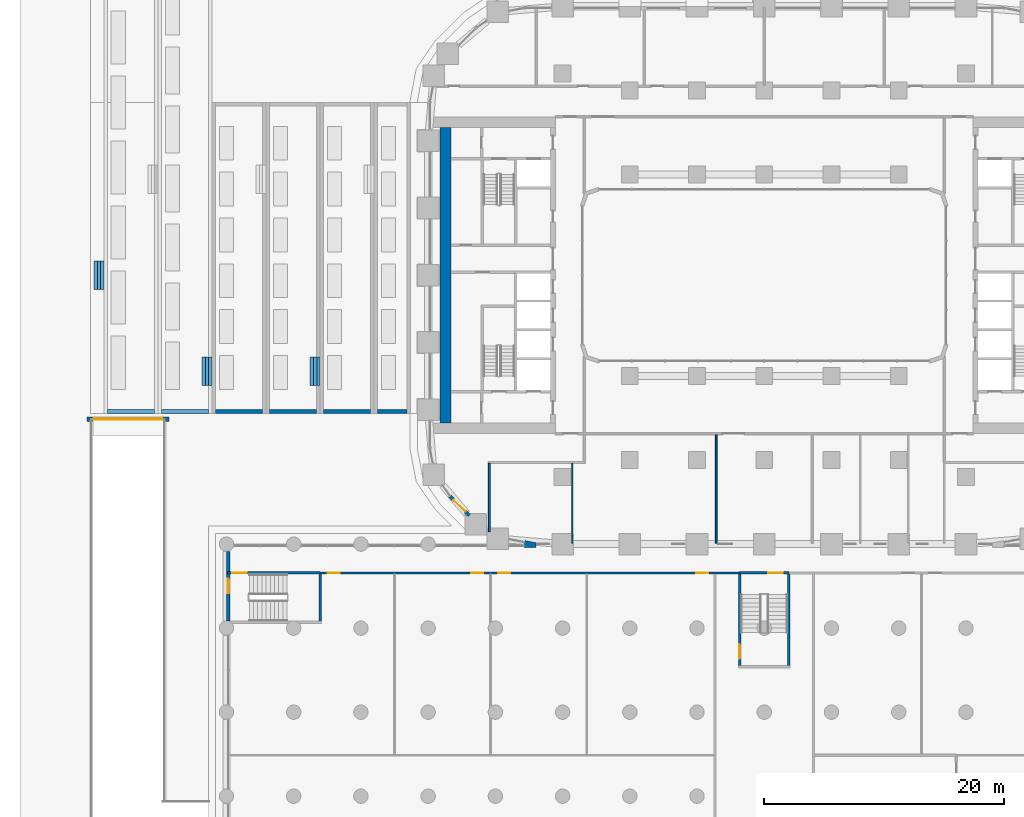
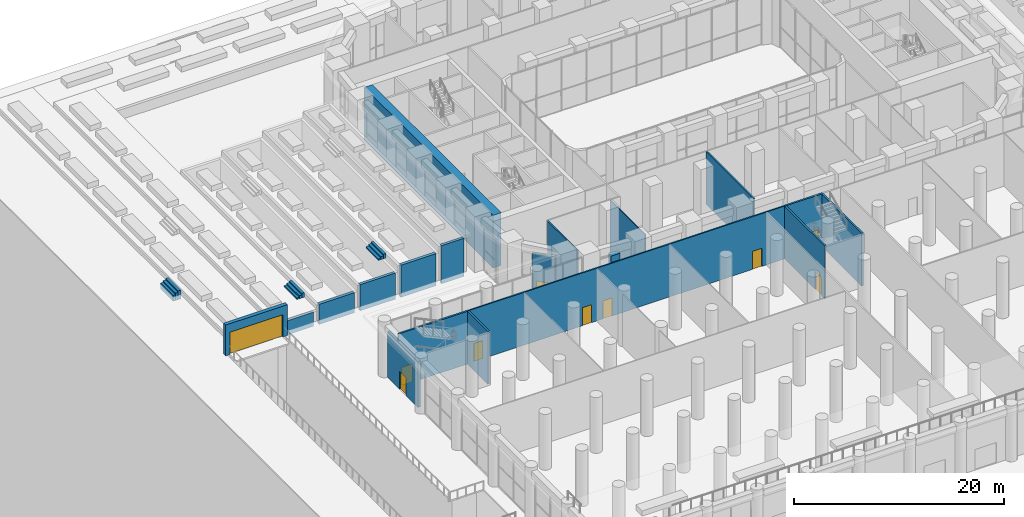
# One storey, part 33 of 51: 29 walls, 10 doors, 10 openings.
"""IFC4 building model written with IfcOpenShell, lengths in metres."""

from ifc_helpers import new_model, si_unit, direction, frame, frame_2d, origin, place, context, subcontext, project, spatial, polyline, rectangle, outline, extrude, material, layer, layer_set, type_object, element, fill, save


model = new_model("IFC4")

# Units and contexts
model_context = context("Model", 3, precision=1e-05, world=origin(), true_north=direction((0.0, 1.0)))
body_context = subcontext(model_context, "Body", "Model", "MODEL_VIEW")
ifc_project = project(units=[si_unit("LENGTHUNIT", "METRE"), si_unit("AREAUNIT", "SQUARE_METRE"), si_unit("VOLUMEUNIT", "CUBIC_METRE"), si_unit("PLANEANGLEUNIT", "RADIAN"), si_unit("MASSUNIT", "GRAM", prefix="KILO")], contexts=[model_context])

# Site, building, storey
site_placement = place(None, origin())
site = spatial("IfcSite", under=ifc_project, at=site_placement, CompositionType="ELEMENT")
building_placement = place(site_placement, origin())
building = spatial("IfcBuilding", under=site, at=building_placement, Name="Kiln Ring Residences", CompositionType="ELEMENT")
storey_placement = place(building_placement, origin())
storey = spatial("IfcBuildingStorey", under=building, at=storey_placement, Name="L00", CompositionType="ELEMENT", Elevation=0.0)

# Wall
ifc_material_1 = material(Name="Concrete C60/75", Category="concrete")
ifc_layer_1 = layer(ifc_material_1, 0.89990234375)
ifc_layer_set_1 = layer_set([ifc_layer_1], Name="CORE-WALL-RC900")
wall_type_1 = type_object("IfcWallType", Name="CORE-WALL-RC900", PredefinedType="SHEAR", material=ifc_layer_set_1)
wall_1_placement = place(storey_placement, frame((-26.550048828125, -12.300048828125, 0.0), z_axis=(0.0, 0.0, 1.0), x_axis=(0.0, 1.0, 0.0)))
element("IfcWall", 1, at=wall_1_placement, inside=storey, type_object=wall_type_1, Name="Core wall west L00 7", PredefinedType="SHEAR", context=body_context, shape_type="SweptSolid", body=[
    extrude(rectangle(XDim=24.60009765625, YDim=0.89990234375, at=frame_2d((12.300048828125, 0.0))), origin(), (0.0, 0.0, 1.0), 6.14990234375),
])

# Wall, opening, door
ifc_material_2 = material(Name="Brick masonry, dark clay brick", Category="masonry")
ifc_layer_2 = layer(ifc_material_2, 0.300048828125)
ifc_layer_set_2 = layer_set([ifc_layer_2], Name="EW-300 BRICK WALL")
wall_type_2 = type_object("IfcWallType", Name="EW-300 BRICK WALL", PredefinedType="SOLIDWALL", material=ifc_layer_set_2)
wall_2_placement = place(storey_placement, frame((-24.570556640625, -20.017333984375, 0.0), z_axis=(0.0, 0.0, 1.0), x_axis=(-0.707053705054, 0.707159853336, 0.0)))
wall_2 = element("IfcWall", 2, at=wall_2_placement, inside=storey, type_object=wall_type_2, Name="Facade wall L00 5", PredefinedType="SOLIDWALL", context=body_context, shape_type="SweptSolid", body=[
    extrude(rectangle(XDim=2.300048828125, YDim=0.300048828125, at=frame_2d((1.14990234375, 0.0))), origin(), (0.0, 0.0, 1.0), 5.25),
])
opening_1_placement = place(wall_2_placement, frame((0.449951171875, 0.0, 0.0)))
opening_1 = element("IfcOpeningElement", 3, at=opening_1_placement, cuts=wall_2, Name="Opening EL00-5", PredefinedType="OPENING", context=body_context, shape_type="SweptSolid", body=[
    extrude(rectangle(XDim=1.39990234375, YDim=2.10009765625, at=frame_2d((0.699951171875, 1.050048828125))), frame((0.0, 0.159912109375, 0.0), z_axis=(0.0, -1.0, 0.0), x_axis=(1.0, 0.0, 0.0)), (0.0, 0.0, 1.0), 0.320068359375),
])
ifc_material_3 = material(Name="Steel, galvanised", Category="steel")
door_type_1 = type_object("IfcDoorType", Name="EXIT DOOR 1400 x 2100", OperationType="SINGLE_SWING_LEFT", PredefinedType="DOOR", material=ifc_material_3)
door_1_placement = place(opening_1_placement, origin())
door_1 = element("IfcDoor", 4, at=door_1_placement, inside=storey, type_object=door_type_1, Name="Exit door EL00-5", OperationType="SINGLE_SWING_LEFT", OverallHeight=2.10009765625, OverallWidth=1.39990234375, PredefinedType="DOOR", context=body_context, shape_type="SweptSolid", body=[
    extrude(rectangle(XDim=1.39990234375, YDim=2.10009765625, at=frame_2d((0.699951171875, 1.050048828125))), frame((0.0, 0.02490234375, 0.0), z_axis=(0.0, -1.0, 0.0), x_axis=(1.0, 0.0, 0.0)), (0.0, 0.0, 1.0), 0.050048828125),
])
fill(opening_1, door_1)

wall_3_placement = place(storey_placement, frame((-44.64990234375, -28.800048828125, 0.0), z_axis=(0.0, 0.0, 1.0), x_axis=(0.0, 1.0, 0.0)))
wall_3 = element("IfcWall", 5, at=wall_3_placement, inside=storey, type_object=wall_type_2, Name="Facade wall L00 6", PredefinedType="SOLIDWALL", context=body_context, shape_type="SweptSolid", body=[
    extrude(rectangle(XDim=5.800048828125, YDim=0.300048828125, at=frame_2d((2.89990234375, 0.0))), origin(), (0.0, 0.0, 1.0), 5.35009765625),
])
opening_2_placement = place(wall_3_placement, frame((2.300048828125, 0.0, 0.0)))
opening_2 = element("IfcOpeningElement", 6, at=opening_2_placement, cuts=wall_3, Name="Opening EL00-6", PredefinedType="OPENING", context=body_context, shape_type="SweptSolid", body=[
    extrude(rectangle(XDim=1.199951171875, YDim=2.10009765625, at=frame_2d((0.60009765625, 1.050048828125))), frame((0.0, 0.159912109375, 0.0), z_axis=(0.0, -1.0, 0.0), x_axis=(1.0, 0.0, 0.0)), (0.0, 0.0, 1.0), 0.320068359375),
])
ifc_material_4 = material(Name="Steel, galvanised", Category="steel")
door_type_2 = type_object("IfcDoorType", Name="EXIT DOOR 1200 x 2100", OperationType="SINGLE_SWING_LEFT", PredefinedType="DOOR", material=ifc_material_4)
door_2_placement = place(opening_2_placement, origin())
door_2 = element("IfcDoor", 7, at=door_2_placement, inside=storey, type_object=door_type_2, Name="Exit door EL00-6", OperationType="SINGLE_SWING_LEFT", OverallHeight=2.10009765625, OverallWidth=1.199951171875, PredefinedType="DOOR", context=body_context, shape_type="SweptSolid", body=[
    extrude(rectangle(XDim=1.199951171875, YDim=2.10009765625, at=frame_2d((0.60009765625, 1.050048828125))), frame((0.0, 0.02490234375, 0.0), z_axis=(0.0, -1.0, 0.0), x_axis=(1.0, 0.0, 0.0)), (0.0, 0.0, 1.0), 0.050048828125),
])
fill(opening_2, door_2)

# Wall
wall_4_placement = place(storey_placement, origin())
element("IfcWall", 8, at=wall_4_placement, inside=storey, type_object=wall_type_2, Name="Corner wall L00 2", PredefinedType="SOLIDWALL", context=body_context, shape_type="SweptSolid", body=[
    extrude(outline(polyline([(-20.0, -22.699951171875), (-19.0, -22.699951171875), (-19.0, -22.285400390625), (-19.94384765625, -22.105224609375), (-20.0, -22.39990234375), (-20.0, -22.699951171875)])), origin(), (0.0, 0.0, 1.0), 5.25),
])

# Wall, opening, door
ifc_material_5 = material(Name="Concrete C35/45", Category="concrete")
ifc_layer_3 = layer(ifc_material_5, 0.39990234375)
ifc_layer_set_3 = layer_set([ifc_layer_3], Name="GATE PIER WALL 400")
wall_type_3 = type_object("IfcWallType", Name="GATE PIER WALL 400", PredefinedType="SOLIDWALL", material=ifc_layer_set_3)
wall_5_placement = place(storey_placement, frame((-56.39990234375, -12.0, 0.0), z_axis=(0.0, 0.0, 1.0), x_axis=(1.0, 0.0, 0.0)))
wall_5 = element("IfcWall", 9, at=wall_5_placement, inside=storey, type_object=wall_type_3, Name="Car park gate wall", PredefinedType="SOLIDWALL", context=body_context, shape_type="SweptSolid", body=[
    extrude(rectangle(XDim=6.7998046875, YDim=0.39990234375, at=frame_2d((3.39990234375, 0.0))), origin(), (0.0, 0.0, 1.0), 3.60009765625),
])
opening_3_placement = place(wall_5_placement, frame((0.5, 0.0, 0.0)))
opening_3 = element("IfcOpeningElement", 10, at=opening_3_placement, cuts=wall_5, Name="Opening VG1", PredefinedType="OPENING", context=body_context, shape_type="SweptSolid", body=[
    extrude(rectangle(XDim=5.800048828125, YDim=2.60009765625, at=frame_2d((2.89990234375, 1.300048828125))), frame((0.0, 0.2099609375, 0.0), z_axis=(0.0, -1.0, 0.0), x_axis=(1.0, 0.0, 0.0)), (0.0, 0.0, 1.0), 0.419921875),
])
ifc_material_6 = material(Name="Galvanised steel", Category="steel")
door_type_3 = type_object("IfcDoorType", Name="VEHICLE GATE 5800 x 2600", OperationType="SLIDING_TO_LEFT", PredefinedType="GATE", material=ifc_material_6)
door_3_placement = place(opening_3_placement, origin())
door_3 = element("IfcDoor", 11, at=door_3_placement, inside=storey, type_object=door_type_3, Name="Car park vehicle gate VG1", OperationType="SLIDING_TO_LEFT", OverallHeight=2.60009765625, OverallWidth=5.800048828125, PredefinedType="GATE", context=body_context, shape_type="SweptSolid", body=[
    extrude(rectangle(XDim=5.800048828125, YDim=2.60009765625, at=frame_2d((2.89990234375, 1.300048828125))), frame((0.0, 0.02490234375, 0.0), z_axis=(0.0, -1.0, 0.0), x_axis=(1.0, 0.0, 0.0)), (0.0, 0.0, 1.0), 0.050048828125),
])
fill(opening_3, door_3)

# Wall
ifc_material_7 = material(Name="Gypsum board on steel studs", Category="steel")
ifc_layer_4 = layer(ifc_material_7, 0.10009765625)
ifc_layer_set_4 = layer_set([ifc_layer_4], Name="PARTITION-100")
wall_type_4 = type_object("IfcWallType", Name="PARTITION-100", PredefinedType="PARTITIONING", material=ifc_layer_set_4)
wall_6_placement = place(storey_placement, frame((-16.0, -22.324951171875, 0.0), z_axis=(0.0, 0.0, 1.0), x_axis=(0.0, 1.0, 0.0)))
element("IfcWall", 12, at=wall_6_placement, inside=storey, type_object=wall_type_4, Name="Partition 023", PredefinedType="PARTITIONING", context=body_context, shape_type="SweptSolid", body=[
    extrude(rectangle(XDim=6.64990234375, YDim=0.10009765625, at=frame_2d((3.324951171875, 0.0))), origin(), (0.0, 0.0, 1.0), 6.14990234375),
])

# Wall, openings, doors
ifc_material_8 = material(Name="Brick masonry partition", Category="masonry")
ifc_layer_5 = layer(ifc_material_8, 0.14990234375)
ifc_layer_set_5 = layer_set([ifc_layer_5], Name="PARTITION-150-ei60")
wall_type_5 = type_object("IfcWallType", Name="PARTITION-150-ei60", PredefinedType="PARTITIONING", material=ifc_layer_set_5)
wall_7_placement = place(storey_placement, frame((-37.0, -24.800048828125, 0.0), z_axis=(0.0, 0.0, 1.0), x_axis=(1.0, 0.0, 0.0)))
wall_7 = element("IfcWall", 13, at=wall_7_placement, inside=storey, type_object=wall_type_5, Name="Partition 007", PredefinedType="PARTITIONING", context=body_context, shape_type="SweptSolid", body=[
    extrude(rectangle(XDim=34.949951171875, YDim=0.14990234375, at=frame_2d((17.47509765625, 0.0))), origin(), (0.0, 0.0, 1.0), 6.14990234375),
])
opening_4_placement = place(wall_7_placement, frame((0.64990234375, 0.0, 0.0)))
opening_4 = element("IfcOpeningElement", 14, at=opening_4_placement, cuts=wall_7, Name="Opening L00-D011", PredefinedType="OPENING", context=body_context, shape_type="SweptSolid", body=[
    extrude(rectangle(XDim=1.0, YDim=2.10009765625, at=frame_2d((0.5, 1.050048828125))), frame((0.0, 0.0849609375, 0.0), z_axis=(0.0, -1.0, 0.0), x_axis=(1.0, 0.0, 0.0)), (0.0, 0.0, 1.0), 0.169921875),
])
opening_5_placement = place(wall_7_placement, frame((12.60009765625, 0.0, 0.0)))
opening_5 = element("IfcOpeningElement", 15, at=opening_5_placement, cuts=wall_7, Name="Opening L00-D012", PredefinedType="OPENING", context=body_context, shape_type="SweptSolid", body=[
    extrude(rectangle(XDim=1.0, YDim=2.10009765625, at=frame_2d((0.5, 1.050048828125))), frame((0.0, 0.0849609375, 0.0), z_axis=(0.0, -1.0, 0.0), x_axis=(1.0, 0.0, 0.0)), (0.0, 0.0, 1.0), 0.169921875),
])
opening_6_placement = place(wall_7_placement, frame((14.85009765625, 0.0, 0.0)))
opening_6 = element("IfcOpeningElement", 16, at=opening_6_placement, cuts=wall_7, Name="Opening L00-D013", PredefinedType="OPENING", context=body_context, shape_type="SweptSolid", body=[
    extrude(rectangle(XDim=1.0, YDim=2.10009765625, at=frame_2d((0.5, 1.050048828125))), frame((0.0, 0.0849609375, 0.0), z_axis=(0.0, -1.0, 0.0), x_axis=(1.0, 0.0, 0.0)), (0.0, 0.0, 1.0), 0.169921875),
])
opening_7_placement = place(wall_7_placement, frame((31.35009765625, 0.0, 0.0)))
opening_7 = element("IfcOpeningElement", 17, at=opening_7_placement, cuts=wall_7, Name="Opening L00-D014", PredefinedType="OPENING", context=body_context, shape_type="SweptSolid", body=[
    extrude(rectangle(XDim=1.0, YDim=2.10009765625, at=frame_2d((0.5, 1.050048828125))), frame((0.0, 0.0849609375, 0.0), z_axis=(0.0, -1.0, 0.0), x_axis=(1.0, 0.0, 0.0)), (0.0, 0.0, 1.0), 0.169921875),
])
ifc_material_9 = material(Name="Steel faced fire door leaf", Category="steel")
door_type_4 = type_object("IfcDoorType", Name="FLAT-DOOR-1000-FR", OperationType="SINGLE_SWING_LEFT", PredefinedType="DOOR", material=ifc_material_9)
door_4_placement = place(opening_4_placement, origin())
door_4 = element("IfcDoor", 18, at=door_4_placement, inside=storey, type_object=door_type_4, Name="Door L00-D011", OperationType="SINGLE_SWING_LEFT", OverallHeight=2.10009765625, OverallWidth=1.0, PredefinedType="DOOR", context=body_context, shape_type="SweptSolid", body=[
    extrude(rectangle(XDim=1.0, YDim=2.10009765625, at=frame_2d((0.5, 1.050048828125))), frame((0.0, 0.02490234375, 0.0), z_axis=(0.0, -1.0, 0.0), x_axis=(1.0, 0.0, 0.0)), (0.0, 0.0, 1.0), 0.050048828125),
])
fill(opening_4, door_4)
door_5_placement = place(opening_5_placement, origin())
door_5 = element("IfcDoor", 19, at=door_5_placement, inside=storey, type_object=door_type_4, Name="Door L00-D012", OperationType="SINGLE_SWING_RIGHT", OverallHeight=2.10009765625, OverallWidth=1.0, PredefinedType="DOOR", context=body_context, shape_type="SweptSolid", body=[
    extrude(rectangle(XDim=1.0, YDim=2.10009765625, at=frame_2d((0.5, 1.050048828125))), frame((0.0, 0.02490234375, 0.0), z_axis=(0.0, -1.0, 0.0), x_axis=(1.0, 0.0, 0.0)), (0.0, 0.0, 1.0), 0.050048828125),
])
fill(opening_5, door_5)
door_6_placement = place(opening_6_placement, origin())
door_6 = element("IfcDoor", 20, at=door_6_placement, inside=storey, type_object=door_type_4, Name="Door L00-D013", OperationType="SINGLE_SWING_LEFT", OverallHeight=2.10009765625, OverallWidth=1.0, PredefinedType="DOOR", context=body_context, shape_type="SweptSolid", body=[
    extrude(rectangle(XDim=1.0, YDim=2.10009765625, at=frame_2d((0.5, 1.050048828125))), frame((0.0, 0.02490234375, 0.0), z_axis=(0.0, -1.0, 0.0), x_axis=(1.0, 0.0, 0.0)), (0.0, 0.0, 1.0), 0.050048828125),
])
fill(opening_6, door_6)
door_7_placement = place(opening_7_placement, origin())
door_7 = element("IfcDoor", 21, at=door_7_placement, inside=storey, type_object=door_type_4, Name="Door L00-D014", OperationType="SINGLE_SWING_RIGHT", OverallHeight=2.10009765625, OverallWidth=1.0, PredefinedType="DOOR", context=body_context, shape_type="SweptSolid", body=[
    extrude(rectangle(XDim=1.0, YDim=2.10009765625, at=frame_2d((0.5, 1.050048828125))), frame((0.0, 0.02490234375, 0.0), z_axis=(0.0, -1.0, 0.0), x_axis=(1.0, 0.0, 0.0)), (0.0, 0.0, 1.0), 0.050048828125),
])
fill(opening_7, door_7)

# Walls
wall_8_placement = place(storey_placement, frame((-22.89990234375, -21.3701171875, 0.0), z_axis=(0.0, 0.0, 1.0), x_axis=(0.0, 1.0, 0.0)))
element("IfcWall", 22, at=wall_8_placement, inside=storey, type_object=wall_type_5, Name="Partition 020", PredefinedType="PARTITIONING", context=body_context, shape_type="SweptSolid", body=[
    extrude(rectangle(XDim=5.695068359375, YDim=0.14990234375, at=frame_2d((2.84765625, 0.0))), origin(), (0.0, 0.0, 1.0), 6.14990234375),
])
wall_9_placement = place(storey_placement, frame((-4.0, -22.324951171875, 0.0), z_axis=(0.0, 0.0, 1.0), x_axis=(0.0, 1.0, 0.0)))
element("IfcWall", 23, at=wall_9_placement, inside=storey, type_object=wall_type_5, Name="Partition 030", PredefinedType="PARTITIONING", context=body_context, shape_type="SweptSolid", body=[
    extrude(rectangle(XDim=9.050048828125, YDim=0.14990234375, at=frame_2d((4.52490234375, 0.0))), origin(), (0.0, 0.0, 1.0), 6.14990234375),
])

# Wall, opening, door
ifc_material_10 = material(Name="Concrete C40/50", Category="concrete")
ifc_layer_6 = layer(ifc_material_10, 0.199951171875)
ifc_layer_set_6 = layer_set([ifc_layer_6], Name="PODIUM-STAIR-WALL-200")
wall_type_6 = type_object("IfcWallType", Name="PODIUM-STAIR-WALL-200", PredefinedType="SHEAR", material=ifc_layer_set_6)
wall_10_placement = place(storey_placement, frame((-44.7099609375, -24.800048828125, 0.0), z_axis=(0.0, 0.0, 1.0), x_axis=(1.0, 0.0, 0.0)))
wall_10 = element("IfcWall", 24, at=wall_10_placement, inside=storey, type_object=wall_type_6, Name="Stair wall 009", PredefinedType="SHEAR", context=body_context, shape_type="SweptSolid", body=[
    extrude(rectangle(XDim=7.7099609375, YDim=0.199951171875, at=frame_2d((3.85498046875, 0.0))), origin(), (0.0, 0.0, 1.0), 6.14990234375),
])
opening_8_placement = place(wall_10_placement, frame((0.39990234375, 0.0, 0.0)))
opening_8 = element("IfcOpeningElement", 25, at=opening_8_placement, cuts=wall_10, Name="Opening L00-D006", PredefinedType="OPENING", context=body_context, shape_type="SweptSolid", body=[
    extrude(rectangle(XDim=1.199951171875, YDim=2.10009765625, at=frame_2d((0.60009765625, 1.050048828125))), frame((0.0, 0.10986328125, 0.0), z_axis=(0.0, -1.0, 0.0), x_axis=(1.0, 0.0, 0.0)), (0.0, 0.0, 1.0), 0.219970703125),
])
ifc_material_11 = material(Name="Steel faced fire door leaf", Category="steel")
door_type_5 = type_object("IfcDoorType", Name="FLAT-DOOR-1200-FR", OperationType="SINGLE_SWING_LEFT", PredefinedType="DOOR", material=ifc_material_11)
door_8_placement = place(opening_8_placement, origin())
door_8 = element("IfcDoor", 26, at=door_8_placement, inside=storey, type_object=door_type_5, Name="Door L00-D006", OperationType="SINGLE_SWING_LEFT", OverallHeight=2.10009765625, OverallWidth=1.199951171875, PredefinedType="DOOR", context=body_context, shape_type="SweptSolid", body=[
    extrude(rectangle(XDim=1.199951171875, YDim=2.10009765625, at=frame_2d((0.60009765625, 1.050048828125))), frame((0.0, 0.02490234375, 0.0), z_axis=(0.0, -1.0, 0.0), x_axis=(1.0, 0.0, 0.0)), (0.0, 0.0, 1.0), 0.050048828125),
])
fill(opening_8, door_8)

wall_11_placement = place(storey_placement, frame((-2.050048828125, -24.800048828125, 0.0), z_axis=(0.0, 0.0, 1.0), x_axis=(1.0, 0.0, 0.0)))
wall_11 = element("IfcWall", 27, at=wall_11_placement, inside=storey, type_object=wall_type_6, Name="Stair wall 010", PredefinedType="SHEAR", context=body_context, shape_type="SweptSolid", body=[
    extrude(rectangle(XDim=4.10009765625, YDim=0.199951171875, at=frame_2d((2.050048828125, 0.0))), origin(), (0.0, 0.0, 1.0), 6.14990234375),
])
opening_9_placement = place(wall_11_placement, frame((2.39990234375, 0.0, 0.0)))
opening_9 = element("IfcOpeningElement", 28, at=opening_9_placement, cuts=wall_11, Name="Opening L00-D008", PredefinedType="OPENING", context=body_context, shape_type="SweptSolid", body=[
    extrude(rectangle(XDim=1.199951171875, YDim=2.10009765625, at=frame_2d((0.60009765625, 1.050048828125))), frame((0.0, 0.10986328125, 0.0), z_axis=(0.0, -1.0, 0.0), x_axis=(1.0, 0.0, 0.0)), (0.0, 0.0, 1.0), 0.219970703125),
])
door_9_placement = place(opening_9_placement, origin())
door_9 = element("IfcDoor", 29, at=door_9_placement, inside=storey, type_object=door_type_5, Name="Door L00-D008", OperationType="SINGLE_SWING_RIGHT", OverallHeight=2.10009765625, OverallWidth=1.199951171875, PredefinedType="DOOR", context=body_context, shape_type="SweptSolid", body=[
    extrude(rectangle(XDim=1.199951171875, YDim=2.10009765625, at=frame_2d((0.60009765625, 1.050048828125))), frame((0.0, 0.02490234375, 0.0), z_axis=(0.0, -1.0, 0.0), x_axis=(1.0, 0.0, 0.0)), (0.0, 0.0, 1.0), 0.050048828125),
])
fill(opening_9, door_9)

# Wall
wall_12_placement = place(storey_placement, frame((-37.0, -28.800048828125, 0.0), z_axis=(0.0, 0.0, 1.0), x_axis=(0.0, 1.0, 0.0)))
element("IfcWall", 30, at=wall_12_placement, inside=storey, type_object=wall_type_6, Name="Stair wall 018", PredefinedType="SHEAR", context=body_context, shape_type="SweptSolid", body=[
    extrude(rectangle(XDim=3.925048828125, YDim=0.199951171875, at=frame_2d((1.96240234375, 0.0))), origin(), (0.0, 0.0, 1.0), 6.14990234375),
])

# Wall, opening, door
wall_13_placement = place(storey_placement, frame((-2.050048828125, -32.5, 0.0), z_axis=(0.0, 0.0, 1.0), x_axis=(0.0, 1.0, 0.0)))
wall_13 = element("IfcWall", 31, at=wall_13_placement, inside=storey, type_object=wall_type_6, Name="Stair wall 031", PredefinedType="SHEAR", context=body_context, shape_type="SweptSolid", body=[
    extrude(rectangle(XDim=7.625, YDim=0.199951171875, at=frame_2d((3.8125, 0.0))), origin(), (0.0, 0.0, 1.0), 6.14990234375),
])
opening_10_placement = place(wall_13_placement, frame((0.550048828125, 0.0, 0.0)))
opening_10 = element("IfcOpeningElement", 32, at=opening_10_placement, cuts=wall_13, Name="Opening L00-D009", PredefinedType="OPENING", context=body_context, shape_type="SweptSolid", body=[
    extrude(rectangle(XDim=1.199951171875, YDim=2.10009765625, at=frame_2d((0.60009765625, 1.050048828125))), frame((0.0, 0.10986328125, 0.0), z_axis=(0.0, -1.0, 0.0), x_axis=(1.0, 0.0, 0.0)), (0.0, 0.0, 1.0), 0.219970703125),
])
door_10_placement = place(opening_10_placement, origin())
door_10 = element("IfcDoor", 33, at=door_10_placement, inside=storey, type_object=door_type_5, Name="Door L00-D009", OperationType="SINGLE_SWING_LEFT", OverallHeight=2.10009765625, OverallWidth=1.199951171875, PredefinedType="DOOR", context=body_context, shape_type="SweptSolid", body=[
    extrude(rectangle(XDim=1.199951171875, YDim=2.10009765625, at=frame_2d((0.60009765625, 1.050048828125))), frame((0.0, 0.02490234375, 0.0), z_axis=(0.0, -1.0, 0.0), x_axis=(1.0, 0.0, 0.0)), (0.0, 0.0, 1.0), 0.050048828125),
])
fill(opening_10, door_10)

# Walls
wall_14_placement = place(storey_placement, frame((2.050048828125, -32.5, 0.0), z_axis=(0.0, 0.0, 1.0), x_axis=(0.0, 1.0, 0.0)))
element("IfcWall", 34, at=wall_14_placement, inside=storey, type_object=wall_type_6, Name="Stair wall 033", PredefinedType="SHEAR", context=body_context, shape_type="SweptSolid", body=[
    extrude(rectangle(XDim=7.625, YDim=0.199951171875, at=frame_2d((3.8125, 0.0))), origin(), (0.0, 0.0, 1.0), 6.14990234375),
])
ifc_material_12 = material(Name="Concrete C35/45", Category="concrete")
ifc_layer_7 = layer(ifc_material_12, 0.300048828125)
ifc_layer_set_7 = layer_set([ifc_layer_7], Name="TERRACE RETAINING WALL 300")
wall_type_7 = type_object("IfcWallType", Name="TERRACE RETAINING WALL 300", PredefinedType="SOLIDWALL", material=ifc_layer_set_7)
wall_15_placement = place(storey_placement, frame((-32.199951171875, -11.35009765625, -0.5), z_axis=(0.0, 0.0, 1.0), x_axis=(1.0, 0.0, 0.0)))
element("IfcWall", 35, at=wall_15_placement, inside=storey, type_object=wall_type_7, Name="Terrace end wall W1 s", PredefinedType="SOLIDWALL", context=body_context, shape_type="SweptSolid", body=[
    extrude(rectangle(XDim=2.449951171875, YDim=0.300048828125, at=frame_2d((1.22509765625, 0.0))), origin(), (0.0, 0.0, 1.0), 4.449951171875),
])
wall_16_placement = place(storey_placement, frame((-36.699951171875, -11.35009765625, -0.5), z_axis=(0.0, 0.0, 1.0), x_axis=(1.0, 0.0, 0.0)))
element("IfcWall", 36, at=wall_16_placement, inside=storey, type_object=wall_type_7, Name="Terrace end wall W2 s", PredefinedType="SOLIDWALL", context=body_context, shape_type="SweptSolid", body=[
    extrude(rectangle(XDim=3.89990234375, YDim=0.300048828125, at=frame_2d((1.949951171875, 0.0))), origin(), (0.0, 0.0, 1.0), 3.75),
])
wall_17_placement = place(storey_placement, frame((-41.199951171875, -11.35009765625, -0.5), z_axis=(0.0, 0.0, 1.0), x_axis=(1.0, 0.0, 0.0)))
element("IfcWall", 37, at=wall_17_placement, inside=storey, type_object=wall_type_7, Name="Terrace end wall W3 s", PredefinedType="SOLIDWALL", context=body_context, shape_type="SweptSolid", body=[
    extrude(rectangle(XDim=3.89990234375, YDim=0.300048828125, at=frame_2d((1.949951171875, 0.0))), origin(), (0.0, 0.0, 1.0), 3.050048828125),
])
wall_18_placement = place(storey_placement, frame((-45.699951171875, -11.35009765625, -0.5), z_axis=(0.0, 0.0, 1.0), x_axis=(1.0, 0.0, 0.0)))
element("IfcWall", 38, at=wall_18_placement, inside=storey, type_object=wall_type_7, Name="Terrace end wall W4 s", PredefinedType="SOLIDWALL", context=body_context, shape_type="SweptSolid", body=[
    extrude(rectangle(XDim=3.89990234375, YDim=0.300048828125, at=frame_2d((1.949951171875, 0.0))), origin(), (0.0, 0.0, 1.0), 2.35009765625),
])
wall_19_placement = place(storey_placement, frame((-50.199951171875, -11.35009765625, -0.5), z_axis=(0.0, 0.0, 1.0), x_axis=(1.0, 0.0, 0.0)))
element("IfcWall", 39, at=wall_19_placement, inside=storey, type_object=wall_type_7, Name="Terrace end wall W5 s", PredefinedType="SOLIDWALL", context=body_context, shape_type="SweptSolid", body=[
    extrude(rectangle(XDim=3.89990234375, YDim=0.300048828125, at=frame_2d((1.949951171875, 0.0))), origin(), (0.0, 0.0, 1.0), 1.64990234375),
])
wall_20_placement = place(storey_placement, frame((-54.699951171875, -11.35009765625, -0.5), z_axis=(0.0, 0.0, 1.0), x_axis=(1.0, 0.0, 0.0)))
element("IfcWall", 40, at=wall_20_placement, inside=storey, type_object=wall_type_7, Name="Terrace end wall W6 s", PredefinedType="SOLIDWALL", context=body_context, shape_type="SweptSolid", body=[
    extrude(rectangle(XDim=3.89990234375, YDim=0.300048828125, at=frame_2d((1.949951171875, 0.0))), origin(), (0.0, 0.0, 1.0), 0.949951171875),
])
ifc_material_13 = material(Name="Concrete C35/45", Category="concrete")
ifc_layer_8 = layer(ifc_material_13, 0.280029296875)
ifc_layer_set_8 = layer_set([ifc_layer_8], Name="TERRACE STEP 280")
wall_type_8 = type_object("IfcWallType", Name="TERRACE STEP 280", PredefinedType="SOLIDWALL", material=ifc_layer_set_8)
wall_21_placement = place(storey_placement, frame((-37.699951171875, -9.199951171875, 2.800048828125), z_axis=(0.0, 0.0, 1.0), x_axis=(0.0, 1.0, 0.0)))
element("IfcWall", 41, at=wall_21_placement, inside=storey, type_object=wall_type_8, Name="Terrace step W2-1", PredefinedType="SOLIDWALL", context=body_context, shape_type="SweptSolid", body=[
    extrude(rectangle(XDim=2.39990234375, YDim=0.280029296875, at=frame_2d((1.199951171875, 0.0))), origin(), (0.0, 0.0, 1.0), 0.175048828125),
])
wall_22_placement = place(storey_placement, frame((-37.419921875, -9.199951171875, 2.800048828125), z_axis=(0.0, 0.0, 1.0), x_axis=(0.0, 1.0, 0.0)))
element("IfcWall", 42, at=wall_22_placement, inside=storey, type_object=wall_type_8, Name="Terrace step W2-2", PredefinedType="SOLIDWALL", context=body_context, shape_type="SweptSolid", body=[
    extrude(rectangle(XDim=2.39990234375, YDim=0.280029296875, at=frame_2d((1.199951171875, 0.0))), origin(), (0.0, 0.0, 1.0), 0.349853515625),
])
wall_23_placement = place(storey_placement, frame((-37.139892578125, -9.199951171875, 2.800048828125), z_axis=(0.0, 0.0, 1.0), x_axis=(0.0, 1.0, 0.0)))
element("IfcWall", 43, at=wall_23_placement, inside=storey, type_object=wall_type_8, Name="Terrace step W2-3", PredefinedType="SOLIDWALL", context=body_context, shape_type="SweptSolid", body=[
    extrude(rectangle(XDim=2.39990234375, YDim=0.280029296875, at=frame_2d((1.199951171875, 0.0))), origin(), (0.0, 0.0, 1.0), 0.52490234375),
])
wall_24_placement = place(storey_placement, frame((-46.699951171875, -9.199951171875, 1.39990234375), z_axis=(0.0, 0.0, 1.0), x_axis=(0.0, 1.0, 0.0)))
element("IfcWall", 44, at=wall_24_placement, inside=storey, type_object=wall_type_8, Name="Terrace step W4-1", PredefinedType="SOLIDWALL", context=body_context, shape_type="SweptSolid", body=[
    extrude(rectangle(XDim=2.39990234375, YDim=0.280029296875, at=frame_2d((1.199951171875, 0.0))), origin(), (0.0, 0.0, 1.0), 0.175048828125),
])
wall_25_placement = place(storey_placement, frame((-46.419921875, -9.199951171875, 1.39990234375), z_axis=(0.0, 0.0, 1.0), x_axis=(0.0, 1.0, 0.0)))
element("IfcWall", 45, at=wall_25_placement, inside=storey, type_object=wall_type_8, Name="Terrace step W4-2", PredefinedType="SOLIDWALL", context=body_context, shape_type="SweptSolid", body=[
    extrude(rectangle(XDim=2.39990234375, YDim=0.280029296875, at=frame_2d((1.199951171875, 0.0))), origin(), (0.0, 0.0, 1.0), 0.35009765625),
])
wall_26_placement = place(storey_placement, frame((-46.139892578125, -9.199951171875, 1.39990234375), z_axis=(0.0, 0.0, 1.0), x_axis=(0.0, 1.0, 0.0)))
element("IfcWall", 46, at=wall_26_placement, inside=storey, type_object=wall_type_8, Name="Terrace step W4-3", PredefinedType="SOLIDWALL", context=body_context, shape_type="SweptSolid", body=[
    extrude(rectangle(XDim=2.39990234375, YDim=0.280029296875, at=frame_2d((1.199951171875, 0.0))), origin(), (0.0, 0.0, 1.0), 0.525146484375),
])
wall_27_placement = place(storey_placement, frame((-55.699951171875, -1.199951171875, -0.5), z_axis=(0.0, 0.0, 1.0), x_axis=(0.0, 1.0, 0.0)))
element("IfcWall", 47, at=wall_27_placement, inside=storey, type_object=wall_type_8, Name="Terrace step W6-1", PredefinedType="SOLIDWALL", context=body_context, shape_type="SweptSolid", body=[
    extrude(rectangle(XDim=2.39990234375, YDim=0.280029296875, at=frame_2d((1.199951171875, 0.0))), origin(), (0.0, 0.0, 1.0), 0.675048828125),
])
wall_28_placement = place(storey_placement, frame((-55.419921875, -1.199951171875, -0.5), z_axis=(0.0, 0.0, 1.0), x_axis=(0.0, 1.0, 0.0)))
element("IfcWall", 48, at=wall_28_placement, inside=storey, type_object=wall_type_8, Name="Terrace step W6-2", PredefinedType="SOLIDWALL", context=body_context, shape_type="SweptSolid", body=[
    extrude(rectangle(XDim=2.39990234375, YDim=0.280029296875, at=frame_2d((1.199951171875, 0.0))), origin(), (0.0, 0.0, 1.0), 0.85009765625),
])
wall_29_placement = place(storey_placement, frame((-55.139892578125, -1.199951171875, -0.5), z_axis=(0.0, 0.0, 1.0), x_axis=(0.0, 1.0, 0.0)))
element("IfcWall", 49, at=wall_29_placement, inside=storey, type_object=wall_type_8, Name="Terrace step W6-3", PredefinedType="SOLIDWALL", context=body_context, shape_type="SweptSolid", body=[
    extrude(rectangle(XDim=2.39990234375, YDim=0.280029296875, at=frame_2d((1.199951171875, 0.0))), origin(), (0.0, 0.0, 1.0), 1.02490234375),
])

save(model, "model.ifc")
